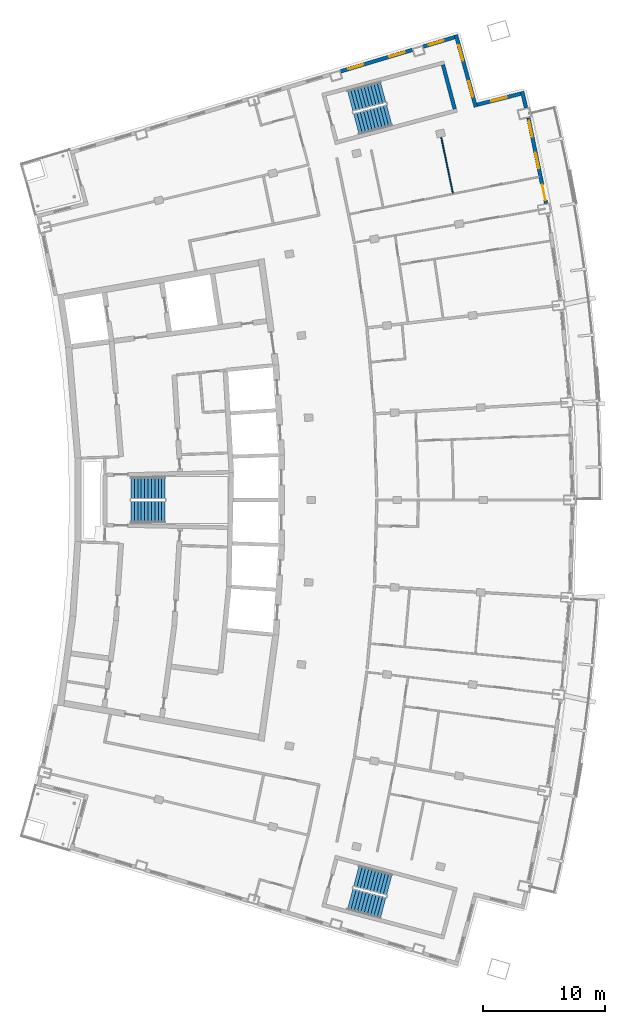
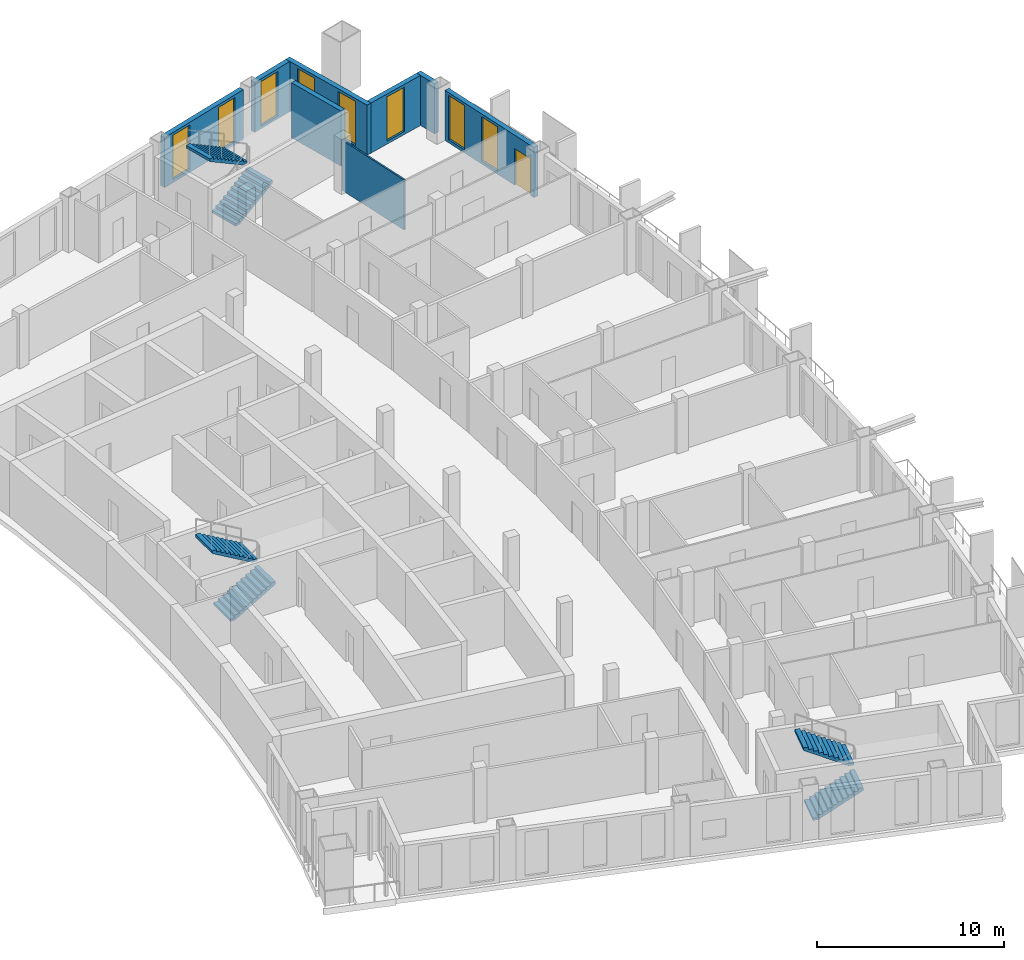
# One storey, part 13 of 15: 8 walls, 8 windows, 6 stair flights, 1 door, 9 openings, 3 elements without a shape of their own.
"""IFC4 building model written with IfcOpenShell, lengths in metres."""

from ifc_helpers import new_model, si_unit, direction, frame, frame_2d, origin, place, context, subcontext, project, spatial, polyline, rectangle, outline, extrude, material, layer, layer_set, type_object, element, fill, aggregate, save


model = new_model("IFC4")

# Units and contexts
model_context = context("Model", 3, precision=1e-05, world=origin(), true_north=direction((0.0, 1.0)))
body_context = subcontext(model_context, "Body", "Model", "MODEL_VIEW")
ifc_project = project(units=[si_unit("LENGTHUNIT", "METRE"), si_unit("AREAUNIT", "SQUARE_METRE"), si_unit("VOLUMEUNIT", "CUBIC_METRE"), si_unit("PLANEANGLEUNIT", "RADIAN"), si_unit("MASSUNIT", "GRAM", prefix="KILO")], contexts=[model_context])

# Site, building, storey
site_placement = place(None, origin())
site = spatial("IfcSite", under=ifc_project, at=site_placement, CompositionType="ELEMENT")
building_placement = place(site_placement, origin())
building = spatial("IfcBuilding", under=site, at=building_placement, Name="Alderwake Tower", CompositionType="ELEMENT")
storey_placement = place(building_placement, frame((0.0, 0.0, 249.199951171875)))
storey = spatial("IfcBuildingStorey", under=building, at=storey_placement, Name="L61", CompositionType="ELEMENT", Elevation=249.199951171875)

# Wall
ifc_material_1 = material(Name="Concrete C70/85", Category="concrete")
ifc_layer_1 = layer(ifc_material_1, 0.300048828125)
ifc_layer_set_1 = layer_set([ifc_layer_1], Name="Core wall stair enclosure 300 C70-85")
wall_type_1 = type_object("IfcWallType", Name="Core wall stair enclosure 300 C70-85", PredefinedType="SHEAR", material=ifc_layer_set_1)
wall_1_placement = place(storey_placement, frame((47.581298828125, 93.041748046875, 0.0), z_axis=(0.0, 0.0, 1.0), x_axis=(-0.257366821694, 0.966313778796, 0.0)))
element("IfcWall", 1, at=wall_1_placement, inside=storey, type_object=wall_type_1, Name="Core wall CW.081", PredefinedType="SHEAR", context=body_context, shape_type="SweptSolid", body=[
    extrude(rectangle(XDim=3.749755859375, YDim=0.300048828125, at=frame_2d((1.875, 0.0))), origin(), (0.0, 0.0, 1.0), 3.60009765625),
])

# Wall, openings, door, windows
ifc_material_2 = material(Name="Precast concrete C50/60 spandrel panel", Category="concrete")
ifc_layer_2 = layer(ifc_material_2, 0.300048828125)
ifc_layer_set_2 = layer_set([ifc_layer_2], Name="External wall EW1 Precast concrete C50/60 spandrel")
wall_type_2 = type_object("IfcWallType", Name="External wall EW1 Precast concrete C50/60 spandrel", PredefinedType="SOLIDWALL", material=ifc_layer_set_2)
wall_2_placement = place(storey_placement, frame((55.068115234375, 85.309326171875, 0.0), z_axis=(0.0, 0.0, 1.0), x_axis=(-0.202732982931, 0.979234056614, 0.0)))
wall_2 = element("IfcWall", 2, at=wall_2_placement, inside=storey, type_object=wall_type_2, Name="External wall 19", PredefinedType="SOLIDWALL", context=body_context, shape_type="SweptSolid", body=[
    extrude(rectangle(XDim=7.16162109375, YDim=0.300048828125, at=frame_2d((3.580810546875, 0.0))), origin(), (0.0, 0.0, 1.0), 3.280029296875),
])
opening_1_placement = place(wall_2_placement, frame((0.267333984375, 0.0, 0.0)))
opening_1 = element("IfcOpeningElement", 3, at=opening_1_placement, cuts=wall_2, Name="Opening D08", PredefinedType="OPENING", context=body_context, shape_type="SweptSolid", body=[
    extrude(rectangle(XDim=1.300048828125, YDim=2.39990234375, at=frame_2d((0.64990234375, 1.199951171875))), frame((0.0, 0.159912109375, 0.0), z_axis=(0.0, -1.0, 0.0), x_axis=(1.0, 0.0, 0.0)), (0.0, 0.0, 1.0), 0.320068359375),
])
opening_2_placement = place(wall_2_placement, frame((2.930908203125, 0.0, 0.199951171875)))
opening_2 = element("IfcOpeningElement", 4, at=opening_2_placement, cuts=wall_2, Name="Opening W1", PredefinedType="OPENING", context=body_context, shape_type="SweptSolid", body=[
    extrude(rectangle(XDim=1.300048828125, YDim=2.89990234375, at=frame_2d((0.64990234375, 1.449951171875))), frame((0.0, 0.159912109375, 0.0), z_axis=(0.0, -1.0, 0.0), x_axis=(1.0, 0.0, 0.0)), (0.0, 0.0, 1.0), 0.320068359375),
])
opening_3_placement = place(wall_2_placement, frame((5.594482421875, 0.0, 0.199951171875)))
opening_3 = element("IfcOpeningElement", 5, at=opening_3_placement, cuts=wall_2, Name="Opening W1", PredefinedType="OPENING", context=body_context, shape_type="SweptSolid", body=[
    extrude(rectangle(XDim=1.300048828125, YDim=2.89990234375, at=frame_2d((0.64990234375, 1.449951171875))), frame((0.0, 0.159912109375, 0.0), z_axis=(0.0, -1.0, 0.0), x_axis=(1.0, 0.0, 0.0)), (0.0, 0.0, 1.0), 0.320068359375),
])
ifc_material_3 = material(Name="Bronze tinted glass in aluminium frame", Category="aluminium")
door_type = type_object("IfcDoorType", Name="Balcony door BD sliding", OperationType="SLIDING_TO_LEFT", PredefinedType="DOOR", material=ifc_material_3)
door_placement = place(opening_1_placement, origin())
door = element("IfcDoor", 6, at=door_placement, inside=storey, type_object=door_type, Name="Door D08", OperationType="SLIDING_TO_LEFT", OverallHeight=2.39990234375, OverallWidth=1.300048828125, PredefinedType="DOOR", context=body_context, shape_type="SweptSolid", body=[
    extrude(rectangle(XDim=1.300048828125, YDim=2.39990234375, at=frame_2d((0.64990234375, 1.199951171875))), frame((0.0, 0.02490234375, 0.0), z_axis=(0.0, -1.0, 0.0), x_axis=(1.0, 0.0, 0.0)), (0.0, 0.0, 1.0), 0.050048828125),
])
fill(opening_1, door)
ifc_material_4 = material(Name="Bronze tinted glass in aluminium frame", Category="aluminium")
window_type = type_object("IfcWindowType", Name="Window W1 tall fixed and vent", PartitioningType="DOUBLE_PANEL_VERTICAL", PredefinedType="WINDOW", material=ifc_material_4)
window_1_placement = place(opening_2_placement, origin())
window_1 = element("IfcWindow", 7, at=window_1_placement, inside=storey, type_object=window_type, Name="Window W1 tall fixed and vent", OverallHeight=2.89990234375, OverallWidth=1.300048828125, PartitioningType="DOUBLE_PANEL_VERTICAL", PredefinedType="WINDOW", context=body_context, shape_type="SweptSolid", body=[
    extrude(rectangle(XDim=1.300048828125, YDim=2.89990234375, at=frame_2d((0.64990234375, 1.449951171875))), frame((0.0, 0.030029296875, 0.0), z_axis=(0.0, -1.0, 0.0), x_axis=(1.0, 0.0, 0.0)), (0.0, 0.0, 1.0), 0.06005859375),
])
fill(opening_2, window_1)
window_2_placement = place(opening_3_placement, origin())
window_2 = element("IfcWindow", 8, at=window_2_placement, inside=storey, type_object=window_type, Name="Window W1 tall fixed and vent", OverallHeight=2.89990234375, OverallWidth=1.300048828125, PartitioningType="DOUBLE_PANEL_VERTICAL", PredefinedType="WINDOW", context=body_context, shape_type="SweptSolid", body=[
    extrude(rectangle(XDim=1.300048828125, YDim=2.89990234375, at=frame_2d((0.64990234375, 1.449951171875))), frame((0.0, 0.030029296875, 0.0), z_axis=(0.0, -1.0, 0.0), x_axis=(1.0, 0.0, 0.0)), (0.0, 0.0, 1.0), 0.06005859375),
])
fill(opening_3, window_2)

# Wall
wall_3_placement = place(storey_placement, frame((53.43408203125, 93.12890625, 0.0), z_axis=(0.0, 0.0, 1.0), x_axis=(-0.238336671874, 0.971182593975, 0.0)))
element("IfcWall", 9, at=wall_3_placement, inside=storey, type_object=wall_type_2, Name="External wall 20", PredefinedType="SOLIDWALL", context=body_context, shape_type="SweptSolid", body=[
    extrude(rectangle(XDim=1.396240234375, YDim=0.300048828125, at=frame_2d((0.6982421875, 0.0))), origin(), (0.0, 0.0, 1.0), 3.280029296875),
])

# Wall, opening, window
ifc_material_5 = material(Name="Bronze metal cladding on lightweight framing")
ifc_layer_3 = layer(ifc_material_5, 0.300048828125)
ifc_layer_set_3 = layer_set([ifc_layer_3], Name="External wall EW2 bronze metal cladding")
wall_type_3 = type_object("IfcWallType", Name="External wall EW2 bronze metal cladding", PredefinedType="SOLIDWALL", material=ifc_layer_set_3)
wall_4_placement = place(storey_placement, frame((52.99169921875, 94.302490234375, 0.0), z_axis=(0.0, 0.0, 1.0), x_axis=(-0.96941119971, -0.245442306614, 0.0)))
wall_4 = element("IfcWall", 10, at=wall_4_placement, inside=storey, type_object=wall_type_3, Name="External wall 21", PredefinedType="SOLIDWALL", context=body_context, shape_type="SweptSolid", body=[
    extrude(rectangle(XDim=3.6943359375, YDim=0.300048828125, at=frame_2d((1.84716796875, 0.0))), origin(), (0.0, 0.0, 1.0), 3.280029296875),
])
opening_4_placement = place(wall_4_placement, frame((1.197021484375, 0.0, 0.199951171875)))
opening_4 = element("IfcOpeningElement", 11, at=opening_4_placement, cuts=wall_4, Name="Opening W1", PredefinedType="OPENING", context=body_context, shape_type="SweptSolid", body=[
    extrude(rectangle(XDim=1.300048828125, YDim=2.89990234375, at=frame_2d((0.64990234375, 1.449951171875))), frame((0.0, 0.159912109375, 0.0), z_axis=(0.0, -1.0, 0.0), x_axis=(1.0, 0.0, 0.0)), (0.0, 0.0, 1.0), 0.320068359375),
])
window_3_placement = place(opening_4_placement, origin())
window_3 = element("IfcWindow", 12, at=window_3_placement, inside=storey, type_object=window_type, Name="Window W1 tall fixed and vent", OverallHeight=2.89990234375, OverallWidth=1.300048828125, PartitioningType="DOUBLE_PANEL_VERTICAL", PredefinedType="WINDOW", context=body_context, shape_type="SweptSolid", body=[
    extrude(rectangle(XDim=1.300048828125, YDim=2.89990234375, at=frame_2d((0.64990234375, 1.449951171875))), frame((0.0, 0.030029296875, 0.0), z_axis=(0.0, -1.0, 0.0), x_axis=(1.0, 0.0, 0.0)), (0.0, 0.0, 1.0), 0.06005859375),
])
fill(opening_4, window_3)

# Wall, openings, windows
wall_5_placement = place(storey_placement, frame((49.3046875, 93.21435546875, 0.0), z_axis=(0.0, 0.0, 1.0), x_axis=(-0.265085195802, 0.964224993955, 0.0)))
wall_5 = element("IfcWall", 13, at=wall_5_placement, inside=storey, type_object=wall_type_3, Name="External wall 22", PredefinedType="SOLIDWALL", context=body_context, shape_type="SweptSolid", body=[
    extrude(rectangle(XDim=6.129150390625, YDim=0.300048828125, at=frame_2d((3.064453125, 0.0))), origin(), (0.0, 0.0, 1.0), 3.280029296875),
])
opening_5_placement = place(wall_5_placement, frame((0.88232421875, 0.0, 0.199951171875)))
opening_5 = element("IfcOpeningElement", 14, at=opening_5_placement, cuts=wall_5, Name="Opening W1", PredefinedType="OPENING", context=body_context, shape_type="SweptSolid", body=[
    extrude(rectangle(XDim=1.300048828125, YDim=2.89990234375, at=frame_2d((0.64990234375, 1.449951171875))), frame((0.0, 0.159912109375, 0.0), z_axis=(0.0, -1.0, 0.0), x_axis=(1.0, 0.0, 0.0)), (0.0, 0.0, 1.0), 0.320068359375),
])
opening_6_placement = place(wall_5_placement, frame((3.947021484375, 0.0, 0.199951171875)))
opening_6 = element("IfcOpeningElement", 15, at=opening_6_placement, cuts=wall_5, Name="Opening W1", PredefinedType="OPENING", context=body_context, shape_type="SweptSolid", body=[
    extrude(rectangle(XDim=1.300048828125, YDim=2.89990234375, at=frame_2d((0.64990234375, 1.449951171875))), frame((0.0, 0.159912109375, 0.0), z_axis=(0.0, -1.0, 0.0), x_axis=(1.0, 0.0, 0.0)), (0.0, 0.0, 1.0), 0.320068359375),
])
window_4_placement = place(opening_5_placement, origin())
window_4 = element("IfcWindow", 16, at=window_4_placement, inside=storey, type_object=window_type, Name="Window W1 tall fixed and vent", OverallHeight=2.89990234375, OverallWidth=1.300048828125, PartitioningType="DOUBLE_PANEL_VERTICAL", PredefinedType="WINDOW", context=body_context, shape_type="SweptSolid", body=[
    extrude(rectangle(XDim=1.300048828125, YDim=2.89990234375, at=frame_2d((0.64990234375, 1.449951171875))), frame((0.0, 0.030029296875, 0.0), z_axis=(0.0, -1.0, 0.0), x_axis=(1.0, 0.0, 0.0)), (0.0, 0.0, 1.0), 0.06005859375),
])
fill(opening_5, window_4)
window_5_placement = place(opening_6_placement, origin())
window_5 = element("IfcWindow", 17, at=window_5_placement, inside=storey, type_object=window_type, Name="Window W1 tall fixed and vent", OverallHeight=2.89990234375, OverallWidth=1.300048828125, PartitioningType="DOUBLE_PANEL_VERTICAL", PredefinedType="WINDOW", context=body_context, shape_type="SweptSolid", body=[
    extrude(rectangle(XDim=1.300048828125, YDim=2.89990234375, at=frame_2d((0.64990234375, 1.449951171875))), frame((0.0, 0.030029296875, 0.0), z_axis=(0.0, -1.0, 0.0), x_axis=(1.0, 0.0, 0.0)), (0.0, 0.0, 1.0), 0.06005859375),
])
fill(opening_6, window_5)

# Wall, opening, window
wall_6_placement = place(storey_placement, frame((47.576171875, 98.9365234375, 0.0), z_axis=(0.0, 0.0, 1.0), x_axis=(-0.957781694838, -0.287496478298, 0.0)))
wall_6 = element("IfcWall", 18, at=wall_6_placement, inside=storey, type_object=wall_type_3, Name="External wall 23", PredefinedType="SOLIDWALL", context=body_context, shape_type="SweptSolid", body=[
    extrude(rectangle(XDim=2.713134765625, YDim=0.300048828125, at=frame_2d((1.3564453125, 0.0))), origin(), (0.0, 0.0, 1.0), 3.280029296875),
])
opening_7_placement = place(wall_6_placement, frame((0.932373046875, 0.0, 0.199951171875)))
opening_7 = element("IfcOpeningElement", 19, at=opening_7_placement, cuts=wall_6, Name="Opening W1", PredefinedType="OPENING", context=body_context, shape_type="SweptSolid", body=[
    extrude(rectangle(XDim=1.300048828125, YDim=2.89990234375, at=frame_2d((0.64990234375, 1.449951171875))), frame((0.0, 0.159912109375, 0.0), z_axis=(0.0, -1.0, 0.0), x_axis=(1.0, 0.0, 0.0)), (0.0, 0.0, 1.0), 0.320068359375),
])
window_6_placement = place(opening_7_placement, origin())
window_6 = element("IfcWindow", 20, at=window_6_placement, inside=storey, type_object=window_type, Name="Window W1 tall fixed and vent", OverallHeight=2.89990234375, OverallWidth=1.300048828125, PartitioningType="DOUBLE_PANEL_VERTICAL", PredefinedType="WINDOW", context=body_context, shape_type="SweptSolid", body=[
    extrude(rectangle(XDim=1.300048828125, YDim=2.89990234375, at=frame_2d((0.64990234375, 1.449951171875))), frame((0.0, 0.030029296875, 0.0), z_axis=(0.0, -1.0, 0.0), x_axis=(1.0, 0.0, 0.0)), (0.0, 0.0, 1.0), 0.06005859375),
])
fill(opening_7, window_6)

# Wall, openings, windows
wall_7_placement = place(storey_placement, frame((44.112548828125, 97.896728515625, 0.0), z_axis=(0.0, 0.0, 1.0), x_axis=(-0.957768483821, -0.28754048654, 0.0)))
wall_7 = element("IfcWall", 21, at=wall_7_placement, inside=storey, type_object=wall_type_3, Name="External wall 24", PredefinedType="SOLIDWALL", context=body_context, shape_type="SweptSolid", body=[
    extrude(rectangle(XDim=6.163330078125, YDim=0.300048828125, at=frame_2d((3.08154296875, 0.0))), origin(), (0.0, 0.0, 1.0), 3.280029296875),
])
opening_8_placement = place(wall_7_placement, frame((0.6650390625, 0.0, 0.199951171875)))
opening_8 = element("IfcOpeningElement", 22, at=opening_8_placement, cuts=wall_7, Name="Opening W1", PredefinedType="OPENING", context=body_context, shape_type="SweptSolid", body=[
    extrude(rectangle(XDim=1.300048828125, YDim=2.89990234375, at=frame_2d((0.64990234375, 1.449951171875))), frame((0.0, 0.159912109375, 0.0), z_axis=(0.0, -1.0, 0.0), x_axis=(1.0, 0.0, 0.0)), (0.0, 0.0, 1.0), 0.320068359375),
])
opening_9_placement = place(wall_7_placement, frame((4.198486328125, 0.0, 0.199951171875)))
opening_9 = element("IfcOpeningElement", 23, at=opening_9_placement, cuts=wall_7, Name="Opening W1", PredefinedType="OPENING", context=body_context, shape_type="SweptSolid", body=[
    extrude(rectangle(XDim=1.300048828125, YDim=2.89990234375, at=frame_2d((0.64990234375, 1.449951171875))), frame((0.0, 0.159912109375, 0.0), z_axis=(0.0, -1.0, 0.0), x_axis=(1.0, 0.0, 0.0)), (0.0, 0.0, 1.0), 0.320068359375),
])
window_7_placement = place(opening_8_placement, origin())
window_7 = element("IfcWindow", 24, at=window_7_placement, inside=storey, type_object=window_type, Name="Window W1 tall fixed and vent", OverallHeight=2.89990234375, OverallWidth=1.300048828125, PartitioningType="DOUBLE_PANEL_VERTICAL", PredefinedType="WINDOW", context=body_context, shape_type="SweptSolid", body=[
    extrude(rectangle(XDim=1.300048828125, YDim=2.89990234375, at=frame_2d((0.64990234375, 1.449951171875))), frame((0.0, 0.030029296875, 0.0), z_axis=(0.0, -1.0, 0.0), x_axis=(1.0, 0.0, 0.0)), (0.0, 0.0, 1.0), 0.06005859375),
])
fill(opening_8, window_7)
window_8_placement = place(opening_9_placement, origin())
window_8 = element("IfcWindow", 25, at=window_8_placement, inside=storey, type_object=window_type, Name="Window W1 tall fixed and vent", OverallHeight=2.89990234375, OverallWidth=1.300048828125, PartitioningType="DOUBLE_PANEL_VERTICAL", PredefinedType="WINDOW", context=body_context, shape_type="SweptSolid", body=[
    extrude(rectangle(XDim=1.300048828125, YDim=2.89990234375, at=frame_2d((0.64990234375, 1.449951171875))), frame((0.0, 0.030029296875, 0.0), z_axis=(0.0, -1.0, 0.0), x_axis=(1.0, 0.0, 0.0)), (0.0, 0.0, 1.0), 0.06005859375),
])
fill(opening_9, window_8)

# Wall
ifc_material_6 = material(Name="Gypsum board on metal studs")
ifc_layer_4 = layer(ifc_material_6, 0.10009765625)
ifc_layer_set_4 = layer_set([ifc_layer_4], Name="Unit partition 100")
wall_type_4 = type_object("IfcWallType", Name="Unit partition 100", PredefinedType="PARTITIONING", material=ifc_layer_set_4)
wall_8_placement = place(storey_placement, frame((47.42578125, 86.14599609375, 0.0), z_axis=(0.0, 0.0, 1.0), x_axis=(-0.203084909965, 0.97916113043, 0.0)))
element("IfcWall", 26, at=wall_8_placement, inside=storey, type_object=wall_type_4, Name="WL/L61/W52", PredefinedType="PARTITIONING", context=body_context, shape_type="SweptSolid", body=[
    extrude(rectangle(XDim=5.002197265625, YDim=0.10009765625, at=frame_2d((2.5009765625, 0.0))), origin(), (0.0, 0.0, 1.0), 3.280029296875),
])

# Stair, stair flights
ifc_material_7 = material(Name="Concrete C40/50", Category="concrete")
stair_type = type_object("IfcStairType", Name="Core exit stair", PredefinedType="HALF_TURN_STAIR", material=ifc_material_7)
stair_1_placement = place(storey_placement, origin())
stair_1 = element("IfcStair", 27, at=stair_1_placement, inside=storey, type_object=stair_type, Name="L61 Exit Stair B", PredefinedType="HALF_TURN_STAIR")
ifc_material_8 = material(Name="Concrete C40/50", Category="concrete")
ifc_layer_5 = layer(ifc_material_8, 0.14990234375)
ifc_layer_set_5 = layer_set([ifc_layer_5], Name="Core stair flight")
stair_flight_type = type_object("IfcStairFlightType", Name="Core stair flight", PredefinedType="STRAIGHT", material=ifc_layer_set_5)
stair_flight_1_placement = place(storey_placement, frame((21.0400390625, 60.02490234375, 0.0), z_axis=(0.0, 0.0, 1.0), x_axis=(1.0, 0.0, 0.0)))
stair_flight_1 = element("IfcStairFlight", 28, at=stair_flight_1_placement, type_object=stair_flight_type, Name="ST-B flight 1", NumberOfRisers=11, NumberOfTreads=10, PredefinedType="STRAIGHT", RiserHeight=0.163636364, TreadLength=0.28, context=body_context, shape_type="SweptSolid", body=[
    extrude(outline(polyline([(0.0, 0.0), (0.0, 0.16357421875), (0.280029296875, 0.16357421875), (0.280029296875, 0.327392578125), (0.56005859375, 0.327392578125), (0.56005859375, 0.490966796875), (0.840087890625, 0.490966796875), (0.840087890625, 0.654541015625), (1.1201171875, 0.654541015625), (1.1201171875, 0.818115234375), (1.39990234375, 0.818115234375), (1.39990234375, 0.98193359375), (1.679931640625, 0.98193359375), (1.679931640625, 1.1455078125), (1.9599609375, 1.1455078125), (1.9599609375, 1.30908203125), (2.239990234375, 1.30908203125), (2.239990234375, 1.47265625), (2.52001953125, 1.47265625), (2.52001953125, 1.636474609375), (2.800048828125, 1.636474609375), (2.800048828125, 1.800048828125), (2.800048828125, 1.462646484375), (0.297119140625, 0.0), (0.0, 0.0)])), frame((0.0, 0.89990234375, 0.0), z_axis=(0.0, -1.0, 0.0), x_axis=(1.0, 0.0, 0.0)), (0.0, 0.0, 1.0), 1.800048828125),
])
stair_flight_2_placement = place(storey_placement, frame((23.840087890625, 61.97509765625, 1.800048828125), z_axis=(0.0, 0.0, 1.0), x_axis=(-1.0, 0.0, 0.0)))
stair_flight_2 = element("IfcStairFlight", 29, at=stair_flight_2_placement, type_object=stair_flight_type, Name="ST-B flight 2", NumberOfRisers=11, NumberOfTreads=10, PredefinedType="STRAIGHT", RiserHeight=0.163636364, TreadLength=0.28, context=body_context, shape_type="SweptSolid", body=[
    extrude(outline(polyline([(0.0, 0.0), (0.0, 0.16357421875), (0.280029296875, 0.16357421875), (0.280029296875, 0.327392578125), (0.56005859375, 0.327392578125), (0.56005859375, 0.490966796875), (0.840087890625, 0.490966796875), (0.840087890625, 0.654541015625), (1.1201171875, 0.654541015625), (1.1201171875, 0.818115234375), (1.39990234375, 0.818115234375), (1.39990234375, 0.98193359375), (1.679931640625, 0.98193359375), (1.679931640625, 1.1455078125), (1.9599609375, 1.1455078125), (1.9599609375, 1.30908203125), (2.239990234375, 1.30908203125), (2.239990234375, 1.47265625), (2.52001953125, 1.47265625), (2.52001953125, 1.636474609375), (2.800048828125, 1.636474609375), (2.800048828125, 1.800048828125), (2.800048828125, 1.462646484375), (0.297119140625, 0.0), (0.0, 0.0)])), frame((0.0, 0.89990234375, 0.0), z_axis=(0.0, -1.0, 0.0), x_axis=(1.0, 0.0, 0.0)), (0.0, 0.0, 1.0), 1.800048828125),
])
aggregate(stair_1, [stair_flight_1, stair_flight_2])

stair_2_placement = place(storey_placement, origin())
stair_2 = element("IfcStair", 30, at=stair_2_placement, inside=storey, type_object=stair_type, Name="L61 Exit Stair A", PredefinedType="HALF_TURN_STAIR")
stair_flight_3_placement = place(storey_placement, frame((39.512939453125, 91.823974609375, 0.0), z_axis=(0.0, 0.0, 1.0), x_axis=(0.966309627437, 0.257382407951, 0.0)))
stair_flight_3 = element("IfcStairFlight", 31, at=stair_flight_3_placement, type_object=stair_flight_type, Name="ST-A flight 1", NumberOfRisers=11, NumberOfTreads=10, PredefinedType="STRAIGHT", RiserHeight=0.163636364, TreadLength=0.28, context=body_context, shape_type="SweptSolid", body=[
    extrude(outline(polyline([(0.0, 0.0), (0.0, 0.16357421875), (0.280029296875, 0.16357421875), (0.280029296875, 0.327392578125), (0.56005859375, 0.327392578125), (0.56005859375, 0.490966796875), (0.840087890625, 0.490966796875), (0.840087890625, 0.654541015625), (1.1201171875, 0.654541015625), (1.1201171875, 0.818115234375), (1.39990234375, 0.818115234375), (1.39990234375, 0.98193359375), (1.679931640625, 0.98193359375), (1.679931640625, 1.1455078125), (1.9599609375, 1.1455078125), (1.9599609375, 1.30908203125), (2.239990234375, 1.30908203125), (2.239990234375, 1.47265625), (2.52001953125, 1.47265625), (2.52001953125, 1.636474609375), (2.800048828125, 1.636474609375), (2.800048828125, 1.800048828125), (2.800048828125, 1.462646484375), (0.297119140625, 0.0), (0.0, 0.0)])), frame((0.0, 0.89990234375, 0.0), z_axis=(0.0, -1.0, 0.0), x_axis=(1.0, 0.0, 0.0)), (0.0, 0.0, 1.0), 1.800048828125),
])
stair_flight_4_placement = place(storey_placement, frame((41.716796875, 94.428955078125, 1.800048828125), z_axis=(0.0, 0.0, 1.0), x_axis=(-0.966309627437, -0.257382407951, 0.0)))
stair_flight_4 = element("IfcStairFlight", 32, at=stair_flight_4_placement, type_object=stair_flight_type, Name="ST-A flight 2", NumberOfRisers=11, NumberOfTreads=10, PredefinedType="STRAIGHT", RiserHeight=0.163636364, TreadLength=0.28, context=body_context, shape_type="SweptSolid", body=[
    extrude(outline(polyline([(0.0, 0.0), (0.0, 0.16357421875), (0.280029296875, 0.16357421875), (0.280029296875, 0.327392578125), (0.56005859375, 0.327392578125), (0.56005859375, 0.490966796875), (0.840087890625, 0.490966796875), (0.840087890625, 0.654541015625), (1.1201171875, 0.654541015625), (1.1201171875, 0.818115234375), (1.39990234375, 0.818115234375), (1.39990234375, 0.98193359375), (1.679931640625, 0.98193359375), (1.679931640625, 1.1455078125), (1.9599609375, 1.1455078125), (1.9599609375, 1.30908203125), (2.239990234375, 1.30908203125), (2.239990234375, 1.47265625), (2.52001953125, 1.47265625), (2.52001953125, 1.636474609375), (2.800048828125, 1.636474609375), (2.800048828125, 1.800048828125), (2.800048828125, 1.462646484375), (0.297119140625, 0.0), (0.0, 0.0)])), frame((0.0, 0.89990234375, 0.0), z_axis=(0.0, -1.0, 0.0), x_axis=(1.0, 0.0, 0.0)), (0.0, 0.0, 1.0), 1.800048828125),
])
aggregate(stair_2, [stair_flight_3, stair_flight_4])

stair_3_placement = place(storey_placement, origin())
stair_3 = element("IfcStair", 33, at=stair_3_placement, inside=storey, type_object=stair_type, Name="L61 Exit Stair C", PredefinedType="HALF_TURN_STAIR")
stair_flight_5_placement = place(storey_placement, frame((39.010986328125, 28.291748046875, 0.0), z_axis=(0.0, 0.0, 1.0), x_axis=(0.966309627437, -0.257382407951, 0.0)))
stair_flight_5 = element("IfcStairFlight", 34, at=stair_flight_5_placement, type_object=stair_flight_type, Name="ST-C flight 1", NumberOfRisers=11, NumberOfTreads=10, PredefinedType="STRAIGHT", RiserHeight=0.163636364, TreadLength=0.28, context=body_context, shape_type="SweptSolid", body=[
    extrude(outline(polyline([(0.0, 0.0), (0.0, 0.16357421875), (0.280029296875, 0.16357421875), (0.280029296875, 0.327392578125), (0.56005859375, 0.327392578125), (0.56005859375, 0.490966796875), (0.840087890625, 0.490966796875), (0.840087890625, 0.654541015625), (1.1201171875, 0.654541015625), (1.1201171875, 0.818115234375), (1.39990234375, 0.818115234375), (1.39990234375, 0.98193359375), (1.679931640625, 0.98193359375), (1.679931640625, 1.1455078125), (1.9599609375, 1.1455078125), (1.9599609375, 1.30908203125), (2.239990234375, 1.30908203125), (2.239990234375, 1.47265625), (2.52001953125, 1.47265625), (2.52001953125, 1.636474609375), (2.800048828125, 1.636474609375), (2.800048828125, 1.800048828125), (2.800048828125, 1.462646484375), (0.297119140625, 0.0), (0.0, 0.0)])), frame((0.0, 0.89990234375, 0.0), z_axis=(0.0, -1.0, 0.0), x_axis=(1.0, 0.0, 0.0)), (0.0, 0.0, 1.0), 1.800048828125),
])
stair_flight_6_placement = place(storey_placement, frame((42.218505859375, 29.455322265625, 1.800048828125), z_axis=(0.0, 0.0, 1.0), x_axis=(-0.966309627437, 0.257382407951, 0.0)))
stair_flight_6 = element("IfcStairFlight", 35, at=stair_flight_6_placement, type_object=stair_flight_type, Name="ST-C flight 2", NumberOfRisers=11, NumberOfTreads=10, PredefinedType="STRAIGHT", RiserHeight=0.163636364, TreadLength=0.28, context=body_context, shape_type="SweptSolid", body=[
    extrude(outline(polyline([(0.0, 0.0), (0.0, 0.16357421875), (0.280029296875, 0.16357421875), (0.280029296875, 0.327392578125), (0.56005859375, 0.327392578125), (0.56005859375, 0.490966796875), (0.840087890625, 0.490966796875), (0.840087890625, 0.654541015625), (1.1201171875, 0.654541015625), (1.1201171875, 0.818115234375), (1.39990234375, 0.818115234375), (1.39990234375, 0.98193359375), (1.679931640625, 0.98193359375), (1.679931640625, 1.1455078125), (1.9599609375, 1.1455078125), (1.9599609375, 1.30908203125), (2.239990234375, 1.30908203125), (2.239990234375, 1.47265625), (2.52001953125, 1.47265625), (2.52001953125, 1.636474609375), (2.800048828125, 1.636474609375), (2.800048828125, 1.800048828125), (2.800048828125, 1.462646484375), (0.297119140625, 0.0), (0.0, 0.0)])), frame((0.0, 0.89990234375, 0.0), z_axis=(0.0, -1.0, 0.0), x_axis=(1.0, 0.0, 0.0)), (0.0, 0.0, 1.0), 1.800048828125),
])
aggregate(stair_3, [stair_flight_5, stair_flight_6])

save(model, "model.ifc")
